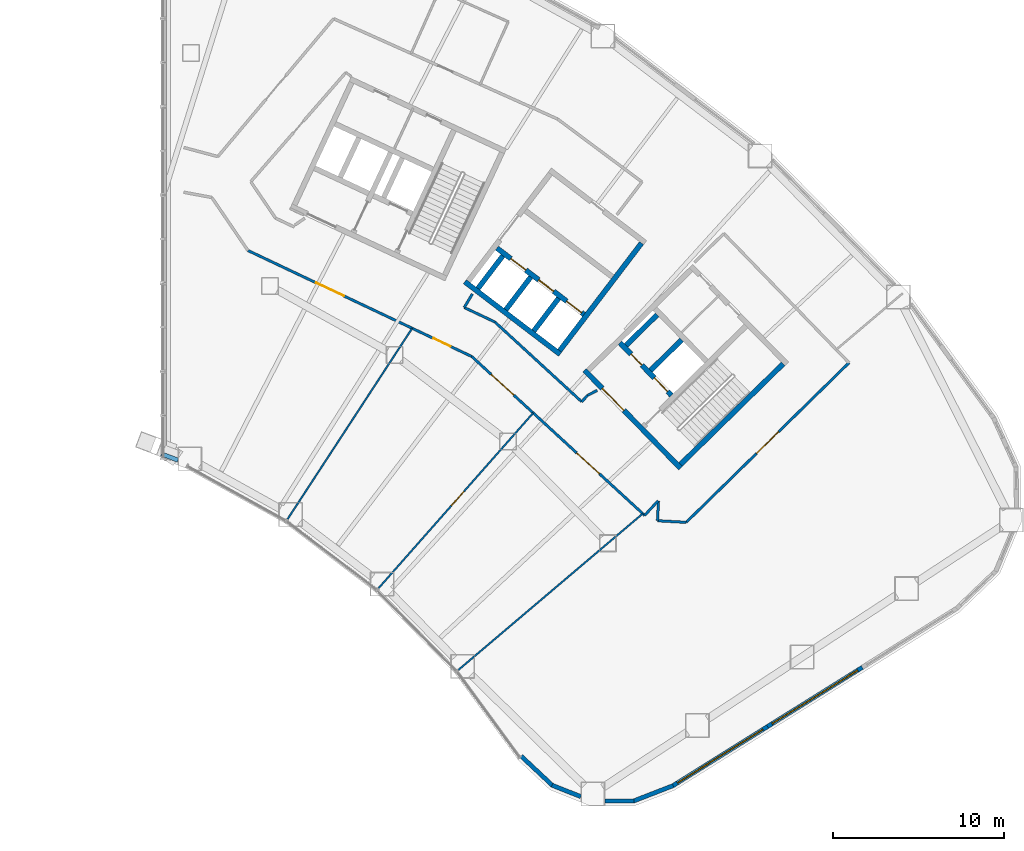
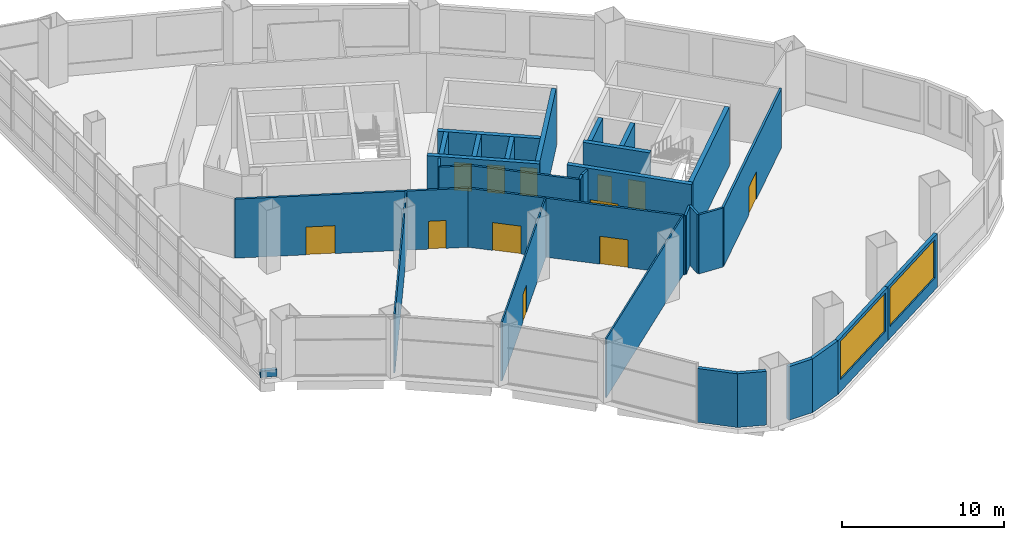
# One storey, part 21 of 26: 32 walls, 12 doors, 2 windows, 14 openings.
"""IFC4 building model written with IfcOpenShell, lengths in metres."""

from ifc_helpers import new_model, si_unit, direction, frame, frame_2d, origin, place, context, subcontext, project, spatial, rectangle, extrude, material, layer, layer_set, type_object, element, fill, save


model = new_model("IFC4")

# Units and contexts
model_context = context("Model", 3, precision=1e-05, world=origin(), true_north=direction((0.0, 1.0)))
body_context = subcontext(model_context, "Body", "Model", "MODEL_VIEW")
ifc_project = project(units=[si_unit("LENGTHUNIT", "METRE"), si_unit("AREAUNIT", "SQUARE_METRE"), si_unit("VOLUMEUNIT", "CUBIC_METRE"), si_unit("PLANEANGLEUNIT", "RADIAN"), si_unit("MASSUNIT", "GRAM", prefix="KILO")], contexts=[model_context])

# Site, building, storey
site_placement = place(None, origin())
site = spatial("IfcSite", under=ifc_project, at=site_placement, CompositionType="ELEMENT")
building_placement = place(site_placement, origin())
building = spatial("IfcBuilding", under=site, at=building_placement, Name="Tuul Gate Civic Tower", CompositionType="ELEMENT")
storey_placement = place(building_placement, frame((0.0, 0.0, 7.5)))
storey = spatial("IfcBuildingStorey", under=building, at=storey_placement, Name="Level 01", CompositionType="ELEMENT", Elevation=7.5)

# Wall, opening, door
ifc_material_1 = material(Name="Concrete C50/60", Category="concrete")
ifc_layer_1 = layer(ifc_material_1, 0.300048828125)
ifc_layer_set_1 = layer_set([ifc_layer_1], Name="Concrete C50/60")
wall_type_1 = type_object("IfcWallType", Name="Core wall C50/60", PredefinedType="SHEAR", material=ifc_layer_set_1)
wall_1_placement = place(storey_placement, frame((48.22509765625, -18.327880859375, 0.0), z_axis=(0.0, 0.0, 1.0), x_axis=(-0.700021979774, 0.714121297703, 0.0)))
wall_1 = element("IfcWall", 1, at=wall_1_placement, inside=storey, type_object=wall_type_1, Name="Core wall", PredefinedType="SHEAR", context=body_context, shape_type="SweptSolid", body=[
    extrude(rectangle(XDim=8.0, YDim=0.300048828125, at=frame_2d((4.0, 0.0))), origin(), (0.0, 0.0, 1.0), 4.449951171875),
])
opening_1_placement = place(wall_1_placement, frame((4.72509765625, 0.0, 0.0)))
opening_1 = element("IfcOpeningElement", 2, at=opening_1_placement, cuts=wall_1, Name="Opening LB-E1-LOBBY-1", PredefinedType="OPENING", context=body_context, shape_type="SweptSolid", body=[
    extrude(rectangle(XDim=1.800048828125, YDim=2.10009765625, at=frame_2d((0.89990234375, 1.050048828125))), frame((0.0, 0.16015625, 0.0), z_axis=(0.0, -1.0, 0.0), x_axis=(1.0, 0.0, 0.0)), (0.0, 0.0, 1.0), 0.320068359375),
])
ifc_material_2 = material(Name="Steel", Category="steel")
door_type_1 = type_object("IfcDoorType", Name="Lobby door", OperationType="DOUBLE_DOOR_SINGLE_SWING", PredefinedType="DOOR", material=ifc_material_2)
door_1_placement = place(opening_1_placement, frame((1.800048828125, 0.0, 0.0), z_axis=(0.0, 0.0, 1.0), x_axis=(-1.0, 0.0, 0.0)))
door_1 = element("IfcDoor", 3, at=door_1_placement, inside=storey, type_object=door_type_1, Name="Lobby door E1-LOBBY", OperationType="DOUBLE_DOOR_SINGLE_SWING", OverallHeight=2.10009765625, OverallWidth=1.800048828125, PredefinedType="DOOR", context=body_context, shape_type="SweptSolid", body=[
    extrude(rectangle(XDim=1.800048828125, YDim=2.10009765625, at=frame_2d((0.900146484375, 1.050048828125))), frame((0.0, 0.02490234375, 0.0), z_axis=(0.0, -1.0, 0.0), x_axis=(1.0, 0.0, 0.0)), (0.0, 0.0, 1.0), 0.050048828125),
])
fill(opening_1, door_1)

# Wall, openings, doors
wall_2_placement = place(storey_placement, frame((47.701904296875, -14.079833984375, 0.0), z_axis=(0.0, 0.0, 1.0), x_axis=(-0.700002721075, 0.714140175657, 0.0)))
wall_2 = element("IfcWall", 4, at=wall_2_placement, inside=storey, type_object=wall_type_1, Name="Core wall", PredefinedType="SHEAR", context=body_context, shape_type="SweptSolid", body=[
    extrude(rectangle(XDim=4.300048828125, YDim=0.300048828125, at=frame_2d((2.14990234375, 0.0))), origin(), (0.0, 0.0, 1.0), 4.449951171875),
])
opening_2_placement = place(wall_2_placement, frame((0.324951171875, 0.0, 0.0)))
opening_2 = element("IfcOpeningElement", 5, at=opening_2_placement, cuts=wall_2, Name="Opening LD-L4", PredefinedType="OPENING", context=body_context, shape_type="SweptSolid", body=[
    extrude(rectangle(XDim=1.10009765625, YDim=2.10009765625, at=frame_2d((0.550048828125, 1.050048828125))), frame((0.0, 0.16015625, 0.0), z_axis=(0.0, -1.0, 0.0), x_axis=(1.0, 0.0, 0.0)), (0.0, 0.0, 1.0), 0.320068359375),
])
opening_3_placement = place(wall_2_placement, frame((2.47509765625, 0.0, 0.0)))
opening_3 = element("IfcOpeningElement", 6, at=opening_3_placement, cuts=wall_2, Name="Opening FB-E1A2", PredefinedType="OPENING", context=body_context, shape_type="SweptSolid", body=[
    extrude(rectangle(XDim=0.89990234375, YDim=2.10009765625, at=frame_2d((0.449951171875, 1.050048828125))), frame((0.0, 0.16015625, 0.0), z_axis=(0.0, -1.0, 0.0), x_axis=(1.0, 0.0, 0.0)), (0.0, 0.0, 1.0), 0.320068359375),
])
ifc_material_3 = material(Name="Stainless steel", Category="steel")
door_type_2 = type_object("IfcDoorType", Name="Landing door", OperationType="DOUBLE_DOOR_SLIDING", PredefinedType="DOOR", material=ifc_material_3)
door_2_placement = place(opening_2_placement, origin())
door_2 = element("IfcDoor", 7, at=door_2_placement, inside=storey, type_object=door_type_2, Name="Low-rise lift L4 landing door", OperationType="DOUBLE_DOOR_SLIDING", OverallHeight=2.10009765625, OverallWidth=1.10009765625, PredefinedType="DOOR", context=body_context, shape_type="SweptSolid", body=[
    extrude(rectangle(XDim=1.10009765625, YDim=2.10009765625, at=frame_2d((0.550048828125, 1.050048828125))), frame((0.0, 0.02490234375, 0.0), z_axis=(0.0, -1.0, 0.0), x_axis=(1.0, 0.0, 0.0)), (0.0, 0.0, 1.0), 0.050048828125),
])
fill(opening_2, door_2)
ifc_material_4 = material(Name="Steel", Category="steel")
door_type_3 = type_object("IfcDoorType", Name="Store door", OperationType="NOTDEFINED", PredefinedType="DOOR", material=ifc_material_4)
door_3_placement = place(opening_3_placement, frame((0.89990234375, 0.0, 0.0), z_axis=(0.0, 0.0, 1.0), x_axis=(-1.0, 0.0, 0.0)))
door_3 = element("IfcDoor", 8, at=door_3_placement, inside=storey, type_object=door_type_3, Name="Store door E1A2", OperationType="SINGLE_SWING_LEFT", OverallHeight=2.10009765625, OverallWidth=0.89990234375, PredefinedType="DOOR", context=body_context, shape_type="SweptSolid", body=[
    extrude(rectangle(XDim=0.89990234375, YDim=2.10009765625, at=frame_2d((0.449951171875, 1.050048828125))), frame((0.0, 0.02490234375, 0.0), z_axis=(0.0, -1.0, 0.0), x_axis=(1.0, 0.0, 0.0)), (0.0, 0.0, 1.0), 0.050048828125),
])
fill(opening_3, door_3)

# Walls
wall_3_placement = place(storey_placement, frame((48.227294921875, -18.115966796875, 0.0), z_axis=(0.0, 0.0, 1.0), x_axis=(0.714105315431, 0.700038283577, 0.0)))
element("IfcWall", 9, at=wall_3_placement, inside=storey, type_object=wall_type_1, Name="Core wall", PredefinedType="SHEAR", context=body_context, shape_type="SweptSolid", body=[
    extrude(rectangle(XDim=8.400146484375, YDim=0.300048828125, at=frame_2d((4.2001953125, 0.0))), origin(), (0.0, 0.0, 1.0), 4.449951171875),
])
wall_4_placement = place(storey_placement, frame((46.47900390625, -12.617919921875, 0.0), z_axis=(0.0, 0.0, 1.0), x_axis=(0.71410944159, 0.700034074479, 0.0)))
element("IfcWall", 10, at=wall_4_placement, inside=storey, type_object=wall_type_1, Name="Core wall", PredefinedType="SHEAR", context=body_context, shape_type="SweptSolid", body=[
    extrude(rectangle(XDim=2.5498046875, YDim=0.300048828125, at=frame_2d((1.27490234375, 0.0))), origin(), (0.0, 0.0, 1.0), 4.449951171875),
])
wall_5_placement = place(storey_placement, frame((45.0439453125, -11.154052734375, 0.0), z_axis=(0.0, 0.0, 1.0), x_axis=(0.714108498262, 0.700035036773, 0.0)))
element("IfcWall", 11, at=wall_5_placement, inside=storey, type_object=wall_type_1, Name="Core wall", PredefinedType="SHEAR", context=body_context, shape_type="SweptSolid", body=[
    extrude(rectangle(XDim=2.550048828125, YDim=0.300048828125, at=frame_2d((1.27490234375, 0.0))), origin(), (0.0, 0.0, 1.0), 4.449951171875),
])

# Wall, openings, doors
ifc_material_5 = material(Name="Gypsum board partition")
ifc_layer_2 = layer(ifc_material_5, 0.14990234375)
ifc_layer_set_2 = layer_set([ifc_layer_2], Name="Gypsum board partition")
wall_type_2 = type_object("IfcWallType", Name="Corridor wall P150", PredefinedType="PARTITIONING", material=ifc_layer_set_2)
wall_6_placement = place(storey_placement, frame((36.029296875, -11.80859375, 0.0), z_axis=(0.0, 0.0, 1.0), x_axis=(0.736409935114, -0.676535592164, 0.0)))
wall_6 = element("IfcWall", 12, at=wall_6_placement, inside=storey, type_object=wall_type_2, Name="p018", PredefinedType="PARTITIONING", context=body_context, shape_type="SweptSolid", body=[
    extrude(rectangle(XDim=13.720947265625, YDim=0.14990234375, at=frame_2d((6.8603515625, 0.0))), origin(), (0.0, 0.0, 1.0), 4.449951171875),
])
opening_4_placement = place(wall_6_placement, frame((8.322509765625, 0.0, 0.0)))
opening_4 = element("IfcOpeningElement", 13, at=opening_4_placement, cuts=wall_6, Name="Opening QA-D03", PredefinedType="OPENING", context=body_context, shape_type="SweptSolid", body=[
    extrude(rectangle(XDim=1.800048828125, YDim=2.10009765625, at=frame_2d((0.89990234375, 1.050048828125))), frame((0.0, 0.0849609375, 0.0), z_axis=(0.0, -1.0, 0.0), x_axis=(1.0, 0.0, 0.0)), (0.0, 0.0, 1.0), 0.169921875),
])
opening_5_placement = place(wall_6_placement, frame((1.537353515625, 0.0, 0.0)))
opening_5 = element("IfcOpeningElement", 14, at=opening_5_placement, cuts=wall_6, Name="Opening QA-D04", PredefinedType="OPENING", context=body_context, shape_type="SweptSolid", body=[
    extrude(rectangle(XDim=1.800048828125, YDim=2.10009765625, at=frame_2d((0.89990234375, 1.050048828125))), frame((0.0, 0.0849609375, 0.0), z_axis=(0.0, -1.0, 0.0), x_axis=(1.0, 0.0, 0.0)), (0.0, 0.0, 1.0), 0.169921875),
])
ifc_material_6 = material(Name="Timber door leaf, double", Category="wood")
door_type_4 = type_object("IfcDoorType", Name="Door D18", OperationType="DOUBLE_DOOR_SINGLE_SWING", PredefinedType="DOOR", material=ifc_material_6)
door_4_placement = place(opening_4_placement, frame((1.800048828125, 0.0, 0.0), z_axis=(0.0, 0.0, 1.0), x_axis=(-1.0, 0.0, 0.0)))
door_4 = element("IfcDoor", 15, at=door_4_placement, inside=storey, type_object=door_type_4, Name="Door QA-D03", OperationType="DOUBLE_DOOR_SINGLE_SWING", OverallHeight=2.10009765625, OverallWidth=1.800048828125, PredefinedType="DOOR", context=body_context, shape_type="SweptSolid", body=[
    extrude(rectangle(XDim=1.800048828125, YDim=2.10009765625, at=frame_2d((0.900146484375, 1.050048828125))), frame((0.0, 0.02490234375, 0.0), z_axis=(0.0, -1.0, 0.0), x_axis=(1.0, 0.0, 0.0)), (0.0, 0.0, 1.0), 0.050048828125),
])
fill(opening_4, door_4)
door_5_placement = place(opening_5_placement, frame((1.800048828125, 0.0, 0.0), z_axis=(0.0, 0.0, 1.0), x_axis=(-1.0, 0.0, 0.0)))
door_5 = element("IfcDoor", 16, at=door_5_placement, inside=storey, type_object=door_type_4, Name="Door QA-D04", OperationType="DOUBLE_DOOR_SINGLE_SWING", OverallHeight=2.10009765625, OverallWidth=1.800048828125, PredefinedType="DOOR", context=body_context, shape_type="SweptSolid", body=[
    extrude(rectangle(XDim=1.800048828125, YDim=2.10009765625, at=frame_2d((0.900146484375, 1.050048828125))), frame((0.0, 0.02490234375, 0.0), z_axis=(0.0, -1.0, 0.0), x_axis=(1.0, 0.0, 0.0)), (0.0, 0.0, 1.0), 0.050048828125),
])
fill(opening_5, door_5)

wall_7_placement = place(storey_placement, frame((22.946044921875, -5.612060546875, 0.0), z_axis=(0.0, 0.0, 1.0), x_axis=(0.903789366792, -0.427977546694, 0.0)))
wall_7 = element("IfcWall", 17, at=wall_7_placement, inside=storey, type_object=wall_type_2, Name="p020", PredefinedType="PARTITIONING", context=body_context, shape_type="SweptSolid", body=[
    extrude(rectangle(XDim=14.469482421875, YDim=0.14990234375, at=frame_2d((7.23486328125, 0.0))), origin(), (0.0, 0.0, 1.0), 4.449951171875),
])
opening_6_placement = place(wall_7_placement, frame((4.410400390625, 0.0, 0.0)))
opening_6 = element("IfcOpeningElement", 18, at=opening_6_placement, cuts=wall_7, Name="Opening QA-D05", PredefinedType="OPENING", context=body_context, shape_type="SweptSolid", body=[
    extrude(rectangle(XDim=1.800048828125, YDim=2.10009765625, at=frame_2d((0.89990234375, 1.050048828125))), frame((0.0, 0.0849609375, 0.0), z_axis=(0.0, -1.0, 0.0), x_axis=(1.0, 0.0, 0.0)), (0.0, 0.0, 1.0), 0.169921875),
])
opening_7_placement = place(wall_7_placement, frame((11.9951171875, 0.0, 0.0)))
opening_7 = element("IfcOpeningElement", 19, at=opening_7_placement, cuts=wall_7, Name="Opening QA-D16", PredefinedType="OPENING", context=body_context, shape_type="SweptSolid", body=[
    extrude(rectangle(XDim=1.10009765625, YDim=2.10009765625, at=frame_2d((0.550048828125, 1.050048828125))), frame((0.0, 0.0849609375, 0.0), z_axis=(0.0, -1.0, 0.0), x_axis=(1.0, 0.0, 0.0)), (0.0, 0.0, 1.0), 0.169921875),
])
ifc_material_7 = material(Name="Timber door leaf", Category="wood")
door_type_5 = type_object("IfcDoorType", Name="Door D11", OperationType="NOTDEFINED", PredefinedType="DOOR", material=ifc_material_7)
door_6_placement = place(opening_7_placement, frame((1.10009765625, 0.0, 0.0), z_axis=(0.0, 0.0, 1.0), x_axis=(-1.0, 0.0, 0.0)))
door_6 = element("IfcDoor", 20, at=door_6_placement, inside=storey, type_object=door_type_5, Name="Door QA-D16", OperationType="SINGLE_SWING_RIGHT", OverallHeight=2.10009765625, OverallWidth=1.10009765625, PredefinedType="DOOR", context=body_context, shape_type="SweptSolid", body=[
    extrude(rectangle(XDim=1.10009765625, YDim=2.10009765625, at=frame_2d((0.550048828125, 1.050048828125))), frame((0.0, 0.02490234375, 0.0), z_axis=(0.0, -1.0, 0.0), x_axis=(1.0, 0.0, 0.0)), (0.0, 0.0, 1.0), 0.050048828125),
])
fill(opening_7, door_6)
door_7_placement = place(opening_6_placement, frame((1.800048828125, 0.0, 0.0), z_axis=(0.0, 0.0, 1.0), x_axis=(-1.0, 0.0, 0.0)))
door_7 = element("IfcDoor", 21, at=door_7_placement, inside=storey, type_object=door_type_4, Name="Door QA-D05", OperationType="DOUBLE_DOOR_SINGLE_SWING", OverallHeight=2.10009765625, OverallWidth=1.800048828125, PredefinedType="DOOR", context=body_context, shape_type="SweptSolid", body=[
    extrude(rectangle(XDim=1.800048828125, YDim=2.10009765625, at=frame_2d((0.900146484375, 1.050048828125))), frame((0.0, 0.02490234375, 0.0), z_axis=(0.0, -1.0, 0.0), x_axis=(1.0, 0.0, 0.0)), (0.0, 0.0, 1.0), 0.050048828125),
])
fill(opening_6, door_7)

# Walls
wall_8_placement = place(storey_placement, frame((46.133544921875, -21.09130859375, 0.0), z_axis=(0.0, 0.0, 1.0), x_axis=(0.676955256681, 0.736024171106, 0.0)))
element("IfcWall", 22, at=wall_8_placement, inside=storey, type_object=wall_type_2, Name="p032", PredefinedType="PARTITIONING", context=body_context, shape_type="SweptSolid", body=[
    extrude(rectangle(XDim=1.14892578125, YDim=0.14990234375, at=frame_2d((0.574462890625, 0.0))), origin(), (0.0, 0.0, 1.0), 4.449951171875),
])
wall_9_placement = place(storey_placement, frame((46.879150390625, -21.40576171875, 0.0), z_axis=(0.0, 0.0, 1.0), x_axis=(0.055233793944, 0.998473448824, 0.0)))
element("IfcWall", 23, at=wall_9_placement, inside=storey, type_object=wall_type_2, Name="p033", PredefinedType="PARTITIONING", context=body_context, shape_type="SweptSolid", body=[
    extrude(rectangle(XDim=1.144775390625, YDim=0.14990234375, at=frame_2d((0.572265625, 0.0))), origin(), (0.0, 0.0, 1.0), 4.449951171875),
])
wall_10_placement = place(storey_placement, frame((46.879150390625, -21.40576171875, 0.0), z_axis=(0.0, 0.0, 1.0), x_axis=(0.998475472043, -0.05519720761, 0.0)))
element("IfcWall", 24, at=wall_10_placement, inside=storey, type_object=wall_type_2, Name="p034", PredefinedType="PARTITIONING", context=body_context, shape_type="SweptSolid", body=[
    extrude(rectangle(XDim=1.685302734375, YDim=0.14990234375, at=frame_2d((0.8427734375, 0.0))), origin(), (0.0, 0.0, 1.0), 4.449951171875),
])

# Wall, opening, door
wall_11_placement = place(storey_placement, frame((48.561767578125, -21.498779296875, 0.0), z_axis=(0.0, 0.0, 1.0), x_axis=(0.714136428151, 0.700006544246, 0.0)))
wall_11 = element("IfcWall", 25, at=wall_11_placement, inside=storey, type_object=wall_type_2, Name="p035", PredefinedType="PARTITIONING", context=body_context, shape_type="SweptSolid", body=[
    extrude(rectangle(XDim=13.321533203125, YDim=0.14990234375, at=frame_2d((6.66064453125, 0.0))), origin(), (0.0, 0.0, 1.0), 4.449951171875),
])
opening_8_placement = place(wall_11_placement, frame((5.7607421875, 0.0, 0.0)))
opening_8 = element("IfcOpeningElement", 26, at=opening_8_placement, cuts=wall_11, Name="Opening QA-D10", PredefinedType="OPENING", context=body_context, shape_type="SweptSolid", body=[
    extrude(rectangle(XDim=1.800048828125, YDim=2.10009765625, at=frame_2d((0.89990234375, 1.050048828125))), frame((0.0, 0.0849609375, 0.0), z_axis=(0.0, -1.0, 0.0), x_axis=(1.0, 0.0, 0.0)), (0.0, 0.0, 1.0), 0.169921875),
])
door_8_placement = place(opening_8_placement, frame((1.800048828125, 0.0, 0.0), z_axis=(0.0, 0.0, 1.0), x_axis=(-1.0, 0.0, 0.0)))
door_8 = element("IfcDoor", 27, at=door_8_placement, inside=storey, type_object=door_type_4, Name="Door QA-D10", OperationType="DOUBLE_DOOR_SINGLE_SWING", OverallHeight=2.10009765625, OverallWidth=1.800048828125, PredefinedType="DOOR", context=body_context, shape_type="SweptSolid", body=[
    extrude(rectangle(XDim=1.800048828125, YDim=2.10009765625, at=frame_2d((0.900146484375, 1.050048828125))), frame((0.0, 0.02490234375, 0.0), z_axis=(0.0, -1.0, 0.0), x_axis=(1.0, 0.0, 0.0)), (0.0, 0.0, 1.0), 0.050048828125),
])
fill(opening_8, door_8)

# Walls
wall_12_placement = place(storey_placement, frame((35.5888671875, -8.943359375, 0.0), z_axis=(0.0, 0.0, 1.0), x_axis=(0.903767889764, -0.428022898255, 0.0)))
element("IfcWall", 28, at=wall_12_placement, inside=storey, type_object=wall_type_2, Name="p041", PredefinedType="PARTITIONING", context=body_context, shape_type="SweptSolid", body=[
    extrude(rectangle(XDim=1.98486328125, YDim=0.14990234375, at=frame_2d((0.992431640625, 0.0))), origin(), (0.0, 0.0, 1.0), 4.449951171875),
])
wall_13_placement = place(storey_placement, frame((35.5888671875, -8.943359375, 0.0), z_axis=(0.0, 0.0, 1.0), x_axis=(0.515543507784, 0.856863403106, 0.0)))
element("IfcWall", 29, at=wall_13_placement, inside=storey, type_object=wall_type_2, Name="p055", PredefinedType="PARTITIONING", context=body_context, shape_type="SweptSolid", body=[
    extrude(rectangle(XDim=0.9248046875, YDim=0.14990234375, at=frame_2d((0.46240234375, 0.0))), origin(), (0.0, 0.0, 1.0), 4.449951171875),
])
wall_14_placement = place(storey_placement, frame((37.3828125, -9.793212890625, 0.0), z_axis=(0.0, 0.0, 1.0), x_axis=(0.73642206706, -0.676522386287, 0.0)))
element("IfcWall", 30, at=wall_14_placement, inside=storey, type_object=wall_type_2, Name="p056", PredefinedType="PARTITIONING", context=body_context, shape_type="SweptSolid", body=[
    extrude(rectangle(XDim=6.884033203125, YDim=0.14990234375, at=frame_2d((3.44189453125, 0.0))), origin(), (0.0, 0.0, 1.0), 4.449951171875),
])
wall_15_placement = place(storey_placement, frame((42.452392578125, -14.450439453125, 0.0), z_axis=(0.0, 0.0, 1.0), x_axis=(0.682472026512, 0.730911713566, 0.0)))
element("IfcWall", 31, at=wall_15_placement, inside=storey, type_object=wall_type_2, Name="p057", PredefinedType="PARTITIONING", context=body_context, shape_type="SweptSolid", body=[
    extrude(rectangle(XDim=0.509033203125, YDim=0.14990234375, at=frame_2d((0.25439453125, 0.0))), origin(), (0.0, 0.0, 1.0), 4.449951171875),
])
wall_16_placement = place(storey_placement, frame((42.7998046875, -14.078369140625, 0.0), z_axis=(0.0, 0.0, 1.0), x_axis=(0.885442026617, 0.464749844002, 0.0)))
element("IfcWall", 32, at=wall_16_placement, inside=storey, type_object=wall_type_2, Name="p058", PredefinedType="PARTITIONING", context=body_context, shape_type="SweptSolid", body=[
    extrude(rectangle(XDim=0.626220703125, YDim=0.14990234375, at=frame_2d((0.31298828125, 0.0))), origin(), (0.0, 0.0, 1.0), 4.449951171875),
])
ifc_material_8 = material(Name="Precast concrete C40/50", Category="concrete")
ifc_layer_3 = layer(ifc_material_8, 0.25)
ifc_layer_set_3 = layer_set([ifc_layer_3], Name="Precast concrete C40/50")
wall_type_3 = type_object("IfcWallType", Name="External wall", PredefinedType="STANDARD", material=ifc_layer_set_3)
wall_17_placement = place(storey_placement, frame((38.91552734375, -35.162353515625, 0.0), z_axis=(0.0, 0.0, 1.0), x_axis=(0.72981484367, -0.683644859528, 0.0)))
element("IfcWall", 33, at=wall_17_placement, inside=storey, type_object=wall_type_3, Name="External wall", PredefinedType="STANDARD", context=body_context, shape_type="SweptSolid", body=[
    extrude(rectangle(XDim=2.522216796875, YDim=0.25, at=frame_2d((1.26123046875, 0.0))), origin(), (0.0, 0.0, 1.0), 4.050048828125),
])
wall_18_placement = place(storey_placement, frame((40.717041015625, -36.86181640625, 0.0), z_axis=(0.0, 0.0, 1.0), x_axis=(0.929466539536, -0.368906427001, 0.0)))
element("IfcWall", 34, at=wall_18_placement, inside=storey, type_object=wall_type_3, Name="External wall", PredefinedType="STANDARD", context=body_context, shape_type="SweptSolid", body=[
    extrude(rectangle(XDim=1.81396484375, YDim=0.25, at=frame_2d((0.906982421875, 0.0))), origin(), (0.0, 0.0, 1.0), 4.050048828125),
])
wall_19_placement = place(storey_placement, frame((43.802978515625, -37.780517578125, 0.0), z_axis=(0.0, 0.0, 1.0), x_axis=(0.999995034341, -0.003151395324, 0.0)))
element("IfcWall", 35, at=wall_19_placement, inside=storey, type_object=wall_type_3, Name="External wall", PredefinedType="STANDARD", context=body_context, shape_type="SweptSolid", body=[
    extrude(rectangle(XDim=1.704345703125, YDim=0.25, at=frame_2d((0.85205078125, 0.0))), origin(), (0.0, 0.0, 1.0), 4.050048828125),
])
wall_20_placement = place(storey_placement, frame((45.461669921875, -37.79443359375, 0.0), z_axis=(0.0, 0.0, 1.0), x_axis=(0.931986397936, 0.36249324692, 0.0)))
element("IfcWall", 36, at=wall_20_placement, inside=storey, type_object=wall_type_3, Name="External wall", PredefinedType="STANDARD", context=body_context, shape_type="SweptSolid", body=[
    extrude(rectangle(XDim=2.507568359375, YDim=0.25, at=frame_2d((1.25390625, 0.0))), origin(), (0.0, 0.0, 1.0), 4.050048828125),
])

# Wall, opening, window
wall_21_placement = place(storey_placement, frame((47.77783203125, -36.89599609375, 0.0), z_axis=(0.0, 0.0, 1.0), x_axis=(0.848025609636, 0.529955248489, 0.0)))
wall_21 = element("IfcWall", 37, at=wall_21_placement, inside=storey, type_object=wall_type_3, Name="External wall", PredefinedType="STANDARD", context=body_context, shape_type="SweptSolid", body=[
    extrude(rectangle(XDim=6.52978515625, YDim=0.25, at=frame_2d((3.264892578125, 0.0))), origin(), (0.0, 0.0, 1.0), 4.050048828125),
])
opening_9_placement = place(wall_21_placement, frame((0.314697265625, 0.0, 0.89990234375)))
opening_9 = element("IfcOpeningElement", 38, at=opening_9_placement, cuts=wall_21, Name="Opening W14", PredefinedType="OPENING", context=body_context, shape_type="SweptSolid", body=[
    extrude(rectangle(XDim=5.89990234375, YDim=2.89990234375, at=frame_2d((2.949951171875, 1.449951171875))), frame((0.0, 0.135009765625, 0.0), z_axis=(0.0, -1.0, 0.0), x_axis=(1.0, 0.0, 0.0)), (0.0, 0.0, 1.0), 0.27001953125),
])
ifc_material_9 = material(Name="Glass", Category="glass")
window_type = type_object("IfcWindowType", Name="Window W14 5900 x 2900", PartitioningType="SINGLE_PANEL", PredefinedType="WINDOW", material=ifc_material_9)
window_1_placement = place(opening_9_placement, origin())
window_1 = element("IfcWindow", 39, at=window_1_placement, inside=storey, type_object=window_type, Name="Window", OverallHeight=2.89990234375, OverallWidth=5.89990234375, PartitioningType="SINGLE_PANEL", PredefinedType="WINDOW", context=body_context, shape_type="SweptSolid", body=[
    extrude(rectangle(XDim=5.89990234375, YDim=2.89990234375, at=frame_2d((2.949951171875, 1.449951171875))), frame((0.0, 0.030029296875, 0.0), z_axis=(0.0, -1.0, 0.0), x_axis=(1.0, 0.0, 0.0)), (0.0, 0.0, 1.0), 0.06005859375),
])
fill(opening_9, window_1)

wall_22_placement = place(storey_placement, frame((53.315185546875, -33.435546875, 0.0), z_axis=(0.0, 0.0, 1.0), x_axis=(0.848042412856, 0.529928359306, 0.0)))
wall_22 = element("IfcWall", 40, at=wall_22_placement, inside=storey, type_object=wall_type_3, Name="External wall", PredefinedType="STANDARD", context=body_context, shape_type="SweptSolid", body=[
    extrude(rectangle(XDim=6.529541015625, YDim=0.25, at=frame_2d((3.2646484375, 0.0))), origin(), (0.0, 0.0, 1.0), 4.050048828125),
])
opening_10_placement = place(wall_22_placement, frame((0.314697265625, 0.0, 0.89990234375)))
opening_10 = element("IfcOpeningElement", 41, at=opening_10_placement, cuts=wall_22, Name="Opening W14", PredefinedType="OPENING", context=body_context, shape_type="SweptSolid", body=[
    extrude(rectangle(XDim=5.89990234375, YDim=2.89990234375, at=frame_2d((2.949951171875, 1.449951171875))), frame((0.0, 0.135009765625, 0.0), z_axis=(0.0, -1.0, 0.0), x_axis=(1.0, 0.0, 0.0)), (0.0, 0.0, 1.0), 0.27001953125),
])
window_2_placement = place(opening_10_placement, origin())
window_2 = element("IfcWindow", 42, at=window_2_placement, inside=storey, type_object=window_type, Name="Window", OverallHeight=2.89990234375, OverallWidth=5.89990234375, PartitioningType="SINGLE_PANEL", PredefinedType="WINDOW", context=body_context, shape_type="SweptSolid", body=[
    extrude(rectangle(XDim=5.89990234375, YDim=2.89990234375, at=frame_2d((2.949951171875, 1.449951171875))), frame((0.0, 0.030029296875, 0.0), z_axis=(0.0, -1.0, 0.0), x_axis=(1.0, 0.0, 0.0)), (0.0, 0.0, 1.0), 0.06005859375),
])
fill(opening_10, window_2)

# Walls
ifc_material_10 = material(Name="Precast concrete C40/50", Category="concrete")
ifc_layer_4 = layer(ifc_material_10, 0.25)
ifc_layer_set_4 = layer_set([ifc_layer_4], Name="Precast concrete C40/50")
wall_type_4 = type_object("IfcWallType", Name="External wall 500 HIGH", PredefinedType="STANDARD", material=ifc_layer_set_4)
wall_23_placement = place(storey_placement, frame((17.885009765625, -17.49853515625, 0.0), z_axis=(0.0, 0.0, 1.0), x_axis=(0.935351332769, -0.353720064864, 0.0)))
element("IfcWall", 43, at=wall_23_placement, inside=storey, type_object=wall_type_4, Name="External wall", PredefinedType="STANDARD", context=body_context, shape_type="SweptSolid", body=[
    extrude(rectangle(XDim=1.0400390625, YDim=0.25, at=frame_2d((0.52001953125, 0.0))), origin(), (0.0, 0.0, 1.0), 0.5),
])
ifc_material_11 = material(Name="Concrete C40/50", Category="concrete")
ifc_layer_5 = layer(ifc_material_11, 0.300048828125)
ifc_layer_set_5 = layer_set([ifc_layer_5], Name="Concrete C40/50")
wall_type_5 = type_object("IfcWallType", Name="Lift shaft wall C40/50", PredefinedType="STANDARD", material=ifc_layer_set_5)
wall_24_placement = place(storey_placement, frame((41.19189453125, -11.677734375, 0.0), z_axis=(0.0, 0.0, 1.0), x_axis=(-0.795563000331, 0.605870871147, 0.0)))
element("IfcWall", 44, at=wall_24_placement, inside=storey, type_object=wall_type_5, Name="Shaft wall", PredefinedType="STANDARD", context=body_context, shape_type="SweptSolid", body=[
    extrude(rectangle(XDim=7.000244140625, YDim=0.300048828125, at=frame_2d((3.5, 0.0))), origin(), (0.0, 0.0, 1.0), 4.449951171875),
])

# Wall, openings, doors
wall_25_placement = place(storey_placement, frame((42.5888671875, -9.34765625, 0.0), z_axis=(0.0, 0.0, 1.0), x_axis=(-0.795584062101, 0.605843214149, 0.0)))
wall_25 = element("IfcWall", 45, at=wall_25_placement, inside=storey, type_object=wall_type_5, Name="Shaft wall", PredefinedType="STANDARD", context=body_context, shape_type="SweptSolid", body=[
    extrude(rectangle(XDim=6.400146484375, YDim=0.300048828125, at=frame_2d((3.2001953125, 0.0))), origin(), (0.0, 0.0, 1.0), 4.449951171875),
])
opening_11_placement = place(wall_25_placement, frame((0.175048828125, 0.0, 0.0)))
opening_11 = element("IfcOpeningElement", 46, at=opening_11_placement, cuts=wall_25, Name="Opening LD-L1", PredefinedType="OPENING", context=body_context, shape_type="SweptSolid", body=[
    extrude(rectangle(XDim=1.10009765625, YDim=2.10009765625, at=frame_2d((0.550048828125, 1.050048828125))), frame((0.0, 0.16015625, 0.0), z_axis=(0.0, -1.0, 0.0), x_axis=(1.0, 0.0, 0.0)), (0.0, 0.0, 1.0), 0.320068359375),
])
opening_12_placement = place(wall_25_placement, frame((2.22509765625, 0.0, 0.0)))
opening_12 = element("IfcOpeningElement", 47, at=opening_12_placement, cuts=wall_25, Name="Opening LD-L2", PredefinedType="OPENING", context=body_context, shape_type="SweptSolid", body=[
    extrude(rectangle(XDim=1.10009765625, YDim=2.10009765625, at=frame_2d((0.550048828125, 1.050048828125))), frame((0.0, 0.16015625, 0.0), z_axis=(0.0, -1.0, 0.0), x_axis=(1.0, 0.0, 0.0)), (0.0, 0.0, 1.0), 0.320068359375),
])
opening_13_placement = place(wall_25_placement, frame((4.27490234375, 0.0, 0.0)))
opening_13 = element("IfcOpeningElement", 48, at=opening_13_placement, cuts=wall_25, Name="Opening LD-L3", PredefinedType="OPENING", context=body_context, shape_type="SweptSolid", body=[
    extrude(rectangle(XDim=1.10009765625, YDim=2.10009765625, at=frame_2d((0.550048828125, 1.050048828125))), frame((0.0, 0.16015625, 0.0), z_axis=(0.0, -1.0, 0.0), x_axis=(1.0, 0.0, 0.0)), (0.0, 0.0, 1.0), 0.320068359375),
])
door_9_placement = place(opening_11_placement, origin())
door_9 = element("IfcDoor", 49, at=door_9_placement, inside=storey, type_object=door_type_2, Name="Low-rise lift L1 landing door", OperationType="DOUBLE_DOOR_SLIDING", OverallHeight=2.10009765625, OverallWidth=1.10009765625, PredefinedType="DOOR", context=body_context, shape_type="SweptSolid", body=[
    extrude(rectangle(XDim=1.10009765625, YDim=2.10009765625, at=frame_2d((0.550048828125, 1.050048828125))), frame((0.0, 0.02490234375, 0.0), z_axis=(0.0, -1.0, 0.0), x_axis=(1.0, 0.0, 0.0)), (0.0, 0.0, 1.0), 0.050048828125),
])
fill(opening_11, door_9)
door_10_placement = place(opening_12_placement, origin())
door_10 = element("IfcDoor", 50, at=door_10_placement, inside=storey, type_object=door_type_2, Name="Low-rise lift L2 landing door", OperationType="DOUBLE_DOOR_SLIDING", OverallHeight=2.10009765625, OverallWidth=1.10009765625, PredefinedType="DOOR", context=body_context, shape_type="SweptSolid", body=[
    extrude(rectangle(XDim=1.10009765625, YDim=2.10009765625, at=frame_2d((0.550048828125, 1.050048828125))), frame((0.0, 0.02490234375, 0.0), z_axis=(0.0, -1.0, 0.0), x_axis=(1.0, 0.0, 0.0)), (0.0, 0.0, 1.0), 0.050048828125),
])
fill(opening_12, door_10)
door_11_placement = place(opening_13_placement, origin())
door_11 = element("IfcDoor", 51, at=door_11_placement, inside=storey, type_object=door_type_2, Name="Low-rise lift L3 landing door", OperationType="DOUBLE_DOOR_SLIDING", OverallHeight=2.10009765625, OverallWidth=1.10009765625, PredefinedType="DOOR", context=body_context, shape_type="SweptSolid", body=[
    extrude(rectangle(XDim=1.10009765625, YDim=2.10009765625, at=frame_2d((0.550048828125, 1.050048828125))), frame((0.0, 0.02490234375, 0.0), z_axis=(0.0, -1.0, 0.0), x_axis=(1.0, 0.0, 0.0)), (0.0, 0.0, 1.0), 0.050048828125),
])
fill(opening_13, door_11)

# Walls
wall_26_placement = place(storey_placement, frame((41.163330078125, -11.46728515625, 0.0), z_axis=(0.0, 0.0, 1.0), x_axis=(0.605784332699, 0.795628897324, 0.0)))
element("IfcWall", 52, at=wall_26_placement, inside=storey, type_object=wall_type_5, Name="Shaft wall", PredefinedType="STANDARD", context=body_context, shape_type="SweptSolid", body=[
    extrude(rectangle(XDim=7.89990234375, YDim=0.300048828125, at=frame_2d((3.949951171875, 0.0))), origin(), (0.0, 0.0, 1.0), 4.449951171875),
])
wall_27_placement = place(storey_placement, frame((39.65185546875, -10.31640625, 0.0), z_axis=(0.0, 0.0, 1.0), x_axis=(0.605745892068, 0.79565816419, 0.0)))
element("IfcWall", 53, at=wall_27_placement, inside=storey, type_object=wall_type_5, Name="Shaft wall", PredefinedType="STANDARD", context=body_context, shape_type="SweptSolid", body=[
    extrude(rectangle(XDim=2.400146484375, YDim=0.300048828125, at=frame_2d((1.2001953125, 0.0))), origin(), (0.0, 0.0, 1.0), 4.449951171875),
])
wall_28_placement = place(storey_placement, frame((38.02099609375, -9.07421875, 0.0), z_axis=(0.0, 0.0, 1.0), x_axis=(0.605730519254, 0.795669867498, 0.0)))
element("IfcWall", 54, at=wall_28_placement, inside=storey, type_object=wall_type_5, Name="Shaft wall", PredefinedType="STANDARD", context=body_context, shape_type="SweptSolid", body=[
    extrude(rectangle(XDim=2.399658203125, YDim=0.300048828125, at=frame_2d((1.19970703125, 0.0))), origin(), (0.0, 0.0, 1.0), 4.449951171875),
])
wall_29_placement = place(storey_placement, frame((36.389892578125, -7.832275390625, 0.0), z_axis=(0.0, 0.0, 1.0), x_axis=(0.605745892068, 0.79565816419, 0.0)))
element("IfcWall", 55, at=wall_29_placement, inside=storey, type_object=wall_type_5, Name="Shaft wall", PredefinedType="STANDARD", context=body_context, shape_type="SweptSolid", body=[
    extrude(rectangle(XDim=2.400146484375, YDim=0.300048828125, at=frame_2d((1.2001953125, 0.0))), origin(), (0.0, 0.0, 1.0), 4.449951171875),
])

# Wall, opening, door
ifc_material_12 = material(Name="Gypsum board partition")
ifc_layer_6 = layer(ifc_material_12, 0.10009765625)
ifc_layer_set_6 = layer_set([ifc_layer_6], Name="Gypsum board partition")
wall_type_6 = type_object("IfcWallType", Name="Partition P100", PredefinedType="PARTITIONING", material=ifc_layer_set_6)
wall_30_placement = place(storey_placement, frame((30.567626953125, -25.36279296875, 0.0), z_axis=(0.0, 0.0, 1.0), x_axis=(0.661685386379, 0.74978160117, 0.0)))
wall_30 = element("IfcWall", 56, at=wall_30_placement, inside=storey, type_object=wall_type_6, Name="p015", PredefinedType="PARTITIONING", context=body_context, shape_type="SweptSolid", body=[
    extrude(rectangle(XDim=13.67919921875, YDim=0.10009765625, at=frame_2d((6.839599609375, 0.0))), origin(), (0.0, 0.0, 1.0), 4.449951171875),
])
opening_14_placement = place(wall_30_placement, frame((6.455078125, 0.0, 0.0)))
opening_14 = element("IfcOpeningElement", 57, at=opening_14_placement, cuts=wall_30, Name="Opening QA-D15", PredefinedType="OPENING", context=body_context, shape_type="SweptSolid", body=[
    extrude(rectangle(XDim=1.10009765625, YDim=2.10009765625, at=frame_2d((0.550048828125, 1.050048828125))), frame((0.0, 0.06005859375, 0.0), z_axis=(0.0, -1.0, 0.0), x_axis=(1.0, 0.0, 0.0)), (0.0, 0.0, 1.0), 0.1201171875),
])
door_12_placement = place(opening_14_placement, origin())
door_12 = element("IfcDoor", 58, at=door_12_placement, inside=storey, type_object=door_type_5, Name="Door QA-D15", OperationType="SINGLE_SWING_RIGHT", OverallHeight=2.10009765625, OverallWidth=1.10009765625, PredefinedType="DOOR", context=body_context, shape_type="SweptSolid", body=[
    extrude(rectangle(XDim=1.10009765625, YDim=2.10009765625, at=frame_2d((0.550048828125, 1.050048828125))), frame((0.0, 0.02490234375, 0.0), z_axis=(0.0, -1.0, 0.0), x_axis=(1.0, 0.0, 0.0)), (0.0, 0.0, 1.0), 0.050048828125),
])
fill(opening_14, door_12)

# Walls
wall_31_placement = place(storey_placement, frame((35.239990234375, -30.12939453125, 0.0), z_axis=(0.0, 0.0, 1.0), x_axis=(0.76282585634, 0.646603984599, 0.0)))
element("IfcWall", 59, at=wall_31_placement, inside=storey, type_object=wall_type_6, Name="p016", PredefinedType="PARTITIONING", context=body_context, shape_type="SweptSolid", body=[
    extrude(rectangle(XDim=14.13525390625, YDim=0.10009765625, at=frame_2d((7.067626953125, 0.0))), origin(), (0.0, 0.0, 1.0), 4.449951171875),
])
wall_32_placement = place(storey_placement, frame((25.2568359375, -21.3193359375, 0.0), z_axis=(0.0, 0.0, 1.0), x_axis=(0.546729159005, 0.837309516662, 0.0)))
element("IfcWall", 60, at=wall_32_placement, inside=storey, type_object=wall_type_6, Name="p019", PredefinedType="PARTITIONING", context=body_context, shape_type="SweptSolid", body=[
    extrude(rectangle(XDim=13.330322265625, YDim=0.10009765625, at=frame_2d((6.6650390625, 0.0))), origin(), (0.0, 0.0, 1.0), 4.449951171875),
])

save(model, "model.ifc")
